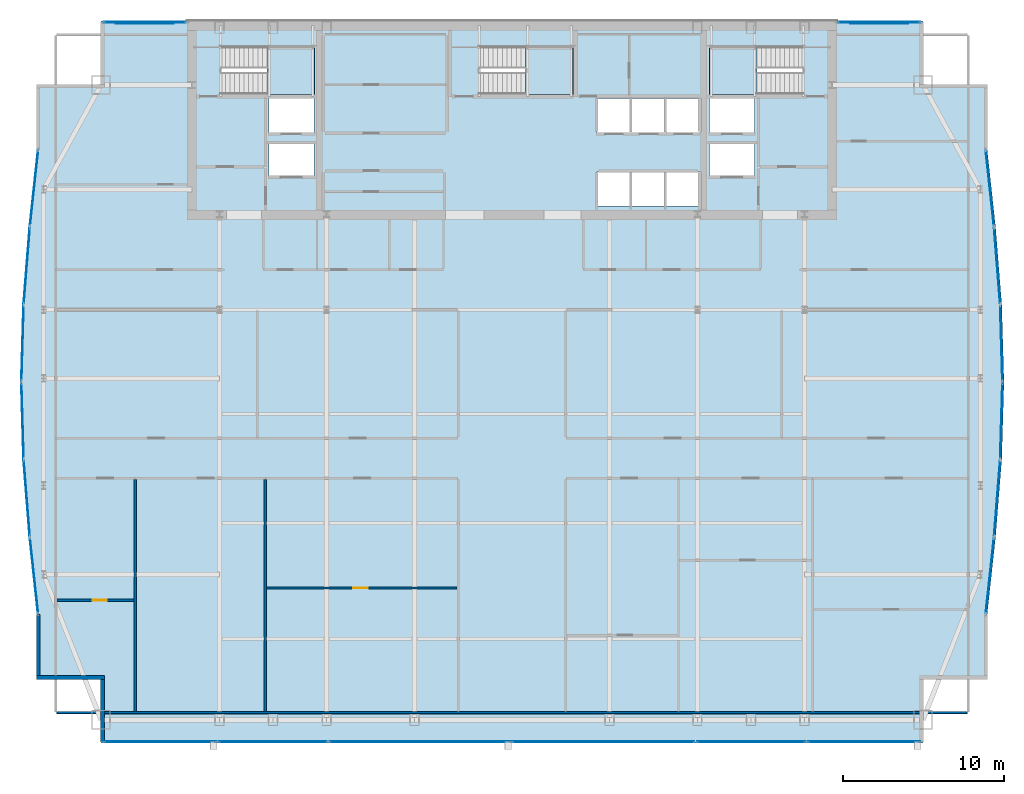
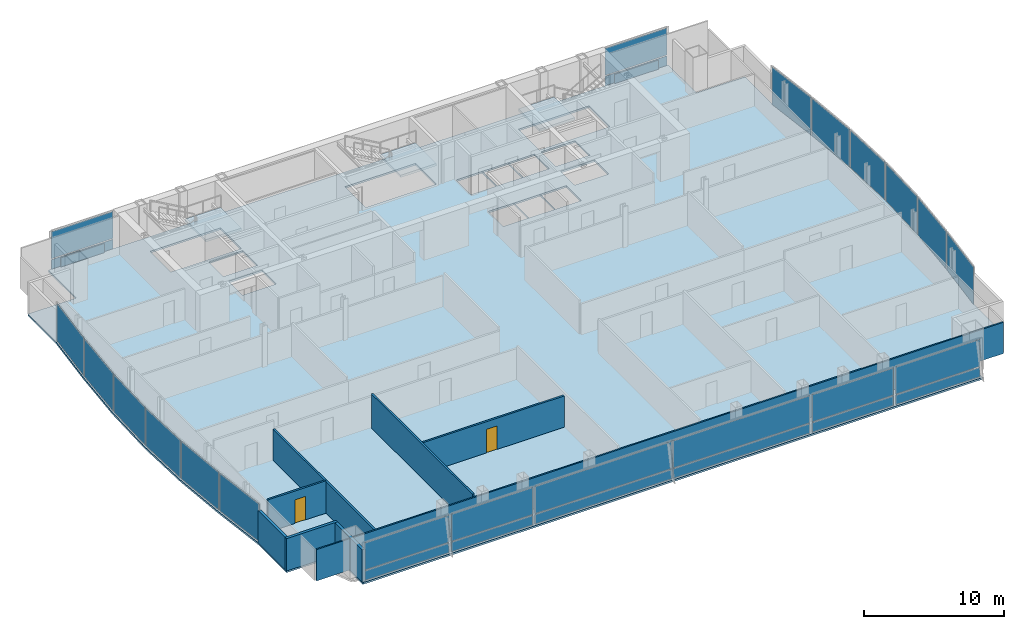
# One storey, part 26 of 32: 30 plates, 8 walls, 4 slabs, 2 doors, 2 openings, 22 elements without a shape of their own.
"""IFC4 building model written with IfcOpenShell, lengths in metres."""

from ifc_helpers import new_model, si_unit, direction, frame, frame_2d, origin, origin_2d, place, context, subcontext, project, spatial, polyline, rectangle, outline, extrude, material, layer, layer_set, type_object, element, fill, aggregate, save


model = new_model("IFC4")

# Units and contexts
model_context = context("Model", 3, precision=1e-05, world=origin(), true_north=direction((0.0, 1.0)))
body_context = subcontext(model_context, "Body", "Model", "MODEL_VIEW")
ifc_project = project(units=[si_unit("LENGTHUNIT", "METRE"), si_unit("AREAUNIT", "SQUARE_METRE"), si_unit("VOLUMEUNIT", "CUBIC_METRE"), si_unit("PLANEANGLEUNIT", "RADIAN"), si_unit("MASSUNIT", "GRAM", prefix="KILO")], contexts=[model_context])

# Site, building, storey
site_placement = place(None, origin())
site = spatial("IfcSite", under=ifc_project, at=site_placement, CompositionType="ELEMENT")
building_placement = place(site_placement, origin())
building = spatial("IfcBuilding", under=site, at=building_placement, Name="Khoronbel Lancet Exchange", CompositionType="ELEMENT")
storey_placement = place(building_placement, frame((0.0, 0.0, 192.199951171875)))
storey = spatial("IfcBuildingStorey", under=building, at=storey_placement, Name="L48", CompositionType="ELEMENT", Elevation=192.199951171875)

# Curtain wall, plate
ifc_material_1 = material(Name="Low-E Solar Control Insulating Glass", Category="glass")
curtain_wall_type_1 = type_object("IfcCurtainWallType", Name="CW-4", PredefinedType="NOTDEFINED", material=ifc_material_1)
curtain_wall_1_placement = place(storey_placement, origin())
curtain_wall_1 = element("IfcCurtainWall", 1, at=curtain_wall_1_placement, inside=storey, type_object=curtain_wall_type_1, Name="Unitised curtain wall CW-L48-E05", PredefinedType="NOTDEFINED")
ifc_material_2 = material(Name="Bronze-Anodised Aluminium 6063-T6", Category="aluminium")
ifc_layer_1 = layer(ifc_material_2, 0.050048828125, Name="Bronze-Anodised Aluminium 6063-T6")
ifc_layer_set_1 = layer_set([ifc_layer_1], Name="Bronze-Anodised Aluminium 6063-T6")
plate_type_1 = type_object("IfcPlateType", Name="PLT-CSP1", PredefinedType="SHEET", material=ifc_layer_set_1)
plate_1_placement = place(storey_placement, frame((6.22265625, 23.95654296875, 0.0849609375), z_axis=(0.0, 0.0, 1.0), x_axis=(-0.079254661653, 0.996854401909, 0.0)))
plate_1 = element("IfcPlate", 2, at=plate_1_placement, type_object=plate_type_1, Name="CW4 panel 1.1", PredefinedType="CURTAIN_PANEL", context=body_context, shape_type="SweptSolid", body=[
    extrude(rectangle(XDim=4.695068359375, YDim=0.0380859375, at=origin_2d()), origin(), (0.0, 0.0, 1.0), 3.27001953125),
])
aggregate(curtain_wall_1, [plate_1])

curtain_wall_2_placement = place(storey_placement, origin())
curtain_wall_2 = element("IfcCurtainWall", 3, at=curtain_wall_2_placement, inside=storey, type_object=curtain_wall_type_1, Name="Unitised curtain wall CW-L48-E06", PredefinedType="NOTDEFINED")
plate_2_placement = place(storey_placement, frame((5.960205078125, 28.785888671875, 0.0849609375), z_axis=(0.0, 0.0, 1.0), x_axis=(-0.029107039142, 0.999576300376, 0.0)))
plate_2 = element("IfcPlate", 4, at=plate_2_placement, type_object=plate_type_1, Name="CW4 panel 1.1", PredefinedType="CURTAIN_PANEL", context=body_context, shape_type="SweptSolid", body=[
    extrude(rectangle(XDim=4.680419921875, YDim=0.0380859375, at=origin_2d()), origin(), (0.0, 0.0, 1.0), 3.27001953125),
])
aggregate(curtain_wall_2, [plate_2])

curtain_wall_3_placement = place(storey_placement, origin())
curtain_wall_3 = element("IfcCurtainWall", 5, at=curtain_wall_3_placement, inside=storey, type_object=curtain_wall_type_1, Name="Unitised curtain wall CW-L48-E07", PredefinedType="NOTDEFINED")
plate_3_placement = place(storey_placement, frame((5.960205078125, 33.6142578125, 0.0849609375), z_axis=(0.0, 0.0, 1.0), x_axis=(0.029107039142, 0.999576300376, 0.0)))
plate_3 = element("IfcPlate", 6, at=plate_3_placement, type_object=plate_type_1, Name="CW4 panel 1.1", PredefinedType="CURTAIN_PANEL", context=body_context, shape_type="SweptSolid", body=[
    extrude(rectangle(XDim=4.680419921875, YDim=0.0380859375, at=origin_2d()), origin(), (0.0, 0.0, 1.0), 3.27001953125),
])
aggregate(curtain_wall_3, [plate_3])

curtain_wall_4_placement = place(storey_placement, origin())
curtain_wall_4 = element("IfcCurtainWall", 7, at=curtain_wall_4_placement, inside=storey, type_object=curtain_wall_type_1, Name="Unitised curtain wall CW-L48-E08", PredefinedType="NOTDEFINED")
plate_4_placement = place(storey_placement, frame((6.22265625, 38.443359375, 0.0849609375), z_axis=(0.0, 0.0, 1.0), x_axis=(0.079254661653, 0.996854401909, 0.0)))
plate_4 = element("IfcPlate", 8, at=plate_4_placement, type_object=plate_type_1, Name="CW4 panel 1.1", PredefinedType="CURTAIN_PANEL", context=body_context, shape_type="SweptSolid", body=[
    extrude(rectangle(XDim=4.695068359375, YDim=0.0380859375, at=origin_2d()), origin(), (0.0, 0.0, 1.0), 3.27001953125),
])
aggregate(curtain_wall_4, [plate_4])

curtain_wall_type_2 = type_object("IfcCurtainWallType", Name="CW-3", PredefinedType="NOTDEFINED", material=ifc_material_1)
curtain_wall_5_placement = place(storey_placement, origin())
curtain_wall_5 = element("IfcCurtainWall", 9, at=curtain_wall_5_placement, inside=storey, type_object=curtain_wall_type_2, Name="Unitised curtain wall CW-L48-NWFLK", PredefinedType="NOTDEFINED")
plate_5_placement = place(storey_placement, frame((13.580078125, 53.550048828125, 0.0498046875), z_axis=(0.0, 0.0, 1.0), x_axis=(-1.0, 0.0, 0.0)))
plate_5 = element("IfcPlate", 10, at=plate_5_placement, type_object=plate_type_1, Name="Insulated bronze spandrel cassette CW-L48-NWFLK", PredefinedType="SHEET", context=body_context, shape_type="SweptSolid", body=[
    extrude(rectangle(XDim=3.60009765625, YDim=0.050048828125, at=origin_2d()), origin(), (0.0, 0.0, 1.0), 0.800048828125),
])

curtain_wall_6_placement = place(storey_placement, origin())
curtain_wall_6 = element("IfcCurtainWall", 11, at=curtain_wall_6_placement, inside=storey, type_object=curtain_wall_type_2, Name="Unitised curtain wall CW-L48-NEFLK", PredefinedType="NOTDEFINED")
plate_6_placement = place(storey_placement, frame((59.320068359375, 53.550048828125, 0.0498046875), z_axis=(0.0, 0.0, 1.0), x_axis=(-1.0, 0.0, 0.0)))
plate_6 = element("IfcPlate", 12, at=plate_6_placement, type_object=plate_type_1, Name="Insulated bronze spandrel cassette CW-L48-NEFLK", PredefinedType="SHEET", context=body_context, shape_type="SweptSolid", body=[
    extrude(rectangle(XDim=3.60009765625, YDim=0.050048828125, at=origin_2d()), origin(), (0.0, 0.0, 1.0), 0.800048828125),
])

curtain_wall_7_placement = place(storey_placement, origin())
curtain_wall_7 = element("IfcCurtainWall", 13, at=curtain_wall_7_placement, inside=storey, type_object=curtain_wall_type_1, Name="Unitised curtain wall CW-L48-E18", PredefinedType="NOTDEFINED")
plate_7_placement = place(storey_placement, frame((66.677490234375, 38.443359375, 0.0849609375), z_axis=(0.0, 0.0, 1.0), x_axis=(0.079254661653, -0.996854401909, 0.0)))
plate_7 = element("IfcPlate", 14, at=plate_7_placement, type_object=plate_type_1, Name="CW4 panel 1.1", PredefinedType="CURTAIN_PANEL", context=body_context, shape_type="SweptSolid", body=[
    extrude(rectangle(XDim=4.695068359375, YDim=0.0380859375, at=origin_2d()), origin(), (0.0, 0.0, 1.0), 3.27001953125),
])
aggregate(curtain_wall_7, [plate_7])

curtain_wall_8_placement = place(storey_placement, origin())
curtain_wall_8 = element("IfcCurtainWall", 15, at=curtain_wall_8_placement, inside=storey, type_object=curtain_wall_type_1, Name="Unitised curtain wall CW-L48-E19", PredefinedType="NOTDEFINED")
plate_8_placement = place(storey_placement, frame((66.939697265625, 33.6142578125, 0.0849609375), z_axis=(0.0, 0.0, 1.0), x_axis=(0.029107039142, -0.999576300376, 0.0)))
plate_8 = element("IfcPlate", 16, at=plate_8_placement, type_object=plate_type_1, Name="CW4 panel 1.1", PredefinedType="CURTAIN_PANEL", context=body_context, shape_type="SweptSolid", body=[
    extrude(rectangle(XDim=4.680419921875, YDim=0.0380859375, at=origin_2d()), origin(), (0.0, 0.0, 1.0), 3.27001953125),
])
aggregate(curtain_wall_8, [plate_8])

curtain_wall_9_placement = place(storey_placement, origin())
curtain_wall_9 = element("IfcCurtainWall", 17, at=curtain_wall_9_placement, inside=storey, type_object=curtain_wall_type_1, Name="Unitised curtain wall CW-L48-E20", PredefinedType="NOTDEFINED")
plate_9_placement = place(storey_placement, frame((66.939697265625, 28.785888671875, 0.0849609375), z_axis=(0.0, 0.0, 1.0), x_axis=(-0.029107039142, -0.999576300376, 0.0)))
plate_9 = element("IfcPlate", 18, at=plate_9_placement, type_object=plate_type_1, Name="CW4 panel 1.1", PredefinedType="CURTAIN_PANEL", context=body_context, shape_type="SweptSolid", body=[
    extrude(rectangle(XDim=4.680419921875, YDim=0.0380859375, at=origin_2d()), origin(), (0.0, 0.0, 1.0), 3.27001953125),
])
aggregate(curtain_wall_9, [plate_9])

curtain_wall_10_placement = place(storey_placement, origin())
curtain_wall_10 = element("IfcCurtainWall", 19, at=curtain_wall_10_placement, inside=storey, type_object=curtain_wall_type_1, Name="Unitised curtain wall CW-L48-E21", PredefinedType="NOTDEFINED")
plate_10_placement = place(storey_placement, frame((66.677490234375, 23.95654296875, 0.0849609375), z_axis=(0.0, 0.0, 1.0), x_axis=(-0.079254661653, -0.996854401909, 0.0)))
plate_10 = element("IfcPlate", 20, at=plate_10_placement, type_object=plate_type_1, Name="CW4 panel 1.1", PredefinedType="CURTAIN_PANEL", context=body_context, shape_type="SweptSolid", body=[
    extrude(rectangle(XDim=4.695068359375, YDim=0.0380859375, at=origin_2d()), origin(), (0.0, 0.0, 1.0), 3.27001953125),
])
aggregate(curtain_wall_10, [plate_10])

# Curtain wall, plates
curtain_wall_11_placement = place(storey_placement, origin())
curtain_wall_11 = element("IfcCurtainWall", 21, at=curtain_wall_11_placement, inside=storey, type_object=curtain_wall_type_2, Name="Unitised curtain wall CW-L48-SWB", PredefinedType="NOTDEFINED")
plate_11_placement = place(storey_placement, frame((21.550048828125, 8.7900390625, 0.0849609375), z_axis=(0.0, 0.0, 1.0), x_axis=(1.0, 0.0, 0.0)))
plate_11 = element("IfcPlate", 22, at=plate_11_placement, type_object=plate_type_1, Name="CW3 panel 1.1", PredefinedType="CURTAIN_PANEL", context=body_context, shape_type="SweptSolid", body=[
    extrude(rectangle(XDim=6.72998046875, YDim=0.0380859375, at=origin_2d()), origin(), (0.0, 0.0, 1.0), 0.822509765625),
])
plate_12_placement = place(storey_placement, frame((21.550048828125, 8.7900390625, 0.99267578125), z_axis=(0.0, 0.0, 1.0), x_axis=(1.0, 0.0, 0.0)))
plate_12 = element("IfcPlate", 23, at=plate_12_placement, type_object=plate_type_1, Name="CW3 panel 1.2", PredefinedType="CURTAIN_PANEL", context=body_context, shape_type="SweptSolid", body=[
    extrude(rectangle(XDim=6.72998046875, YDim=0.0380859375, at=origin_2d()), origin(), (0.0, 0.0, 1.0), 2.362548828125),
])
aggregate(curtain_wall_11, [plate_11, plate_12])

curtain_wall_12_placement = place(storey_placement, origin())
curtain_wall_12 = element("IfcCurtainWall", 24, at=curtain_wall_12_placement, inside=storey, type_object=curtain_wall_type_2, Name="Unitised curtain wall CW-L48-SEB", PredefinedType="NOTDEFINED")
plate_13_placement = place(storey_placement, frame((51.35009765625, 8.7900390625, 0.0849609375), z_axis=(0.0, 0.0, 1.0), x_axis=(1.0, 0.0, 0.0)))
plate_13 = element("IfcPlate", 25, at=plate_13_placement, type_object=plate_type_1, Name="CW3 panel 1.1", PredefinedType="CURTAIN_PANEL", context=body_context, shape_type="SweptSolid", body=[
    extrude(rectangle(XDim=6.72998046875, YDim=0.0380859375, at=origin_2d()), origin(), (0.0, 0.0, 1.0), 0.822509765625),
])
plate_14_placement = place(storey_placement, frame((51.35009765625, 8.7900390625, 0.99267578125), z_axis=(0.0, 0.0, 1.0), x_axis=(1.0, 0.0, 0.0)))
plate_14 = element("IfcPlate", 26, at=plate_14_placement, type_object=plate_type_1, Name="CW3 panel 1.2", PredefinedType="CURTAIN_PANEL", context=body_context, shape_type="SweptSolid", body=[
    extrude(rectangle(XDim=6.72998046875, YDim=0.0380859375, at=origin_2d()), origin(), (0.0, 0.0, 1.0), 2.362548828125),
])
aggregate(curtain_wall_12, [plate_13, plate_14])

# Plate
ifc_layer_2 = layer(ifc_material_1, 0.035888671875, Name="Low-E Solar Control Insulating Glass")
ifc_layer_set_2 = layer_set([ifc_layer_2], Name="Low-E Solar Control Insulating Glass")
plate_type_2 = type_object("IfcPlateType", Name="PLT-CWP1", PredefinedType="CURTAIN_PANEL", material=ifc_layer_set_2)
plate_15_placement = place(storey_placement, frame((13.580078125, 53.610107421875, 0.0849609375), z_axis=(0.0, 0.0, 1.0), x_axis=(-1.0, 0.0, 0.0)))
plate_15 = element("IfcPlate", 27, at=plate_15_placement, type_object=plate_type_2, Name="CW3 panel 1.1", PredefinedType="CURTAIN_PANEL", context=body_context, shape_type="SweptSolid", body=[
    extrude(rectangle(XDim=5.110107421875, YDim=0.0380859375, at=origin_2d()), origin(), (0.0, 0.0, 1.0), 0.822509765625),
])

plate_16_placement = place(storey_placement, frame((13.580078125, 53.610107421875, 0.99267578125), z_axis=(0.0, 0.0, 1.0), x_axis=(-1.0, 0.0, 0.0)))
plate_16 = element("IfcPlate", 28, at=plate_16_placement, type_object=plate_type_2, Name="CW3 panel 1.2", PredefinedType="CURTAIN_PANEL", context=body_context, shape_type="SweptSolid", body=[
    extrude(rectangle(XDim=5.110107421875, YDim=0.0380859375, at=origin_2d()), origin(), (0.0, 0.0, 1.0), 2.362548828125),
])

aggregate(curtain_wall_5, [plate_15, plate_16, plate_5])

plate_17_placement = place(storey_placement, frame((59.320068359375, 53.610107421875, 0.0849609375), z_axis=(0.0, 0.0, 1.0), x_axis=(-1.0, 0.0, 0.0)))
plate_17 = element("IfcPlate", 29, at=plate_17_placement, type_object=plate_type_2, Name="CW3 panel 1.1", PredefinedType="CURTAIN_PANEL", context=body_context, shape_type="SweptSolid", body=[
    extrude(rectangle(XDim=5.110107421875, YDim=0.0380859375, at=origin_2d()), origin(), (0.0, 0.0, 1.0), 0.822509765625),
])

plate_18_placement = place(storey_placement, frame((59.320068359375, 53.610107421875, 0.99267578125), z_axis=(0.0, 0.0, 1.0), x_axis=(-1.0, 0.0, 0.0)))
plate_18 = element("IfcPlate", 30, at=plate_18_placement, type_object=plate_type_2, Name="CW3 panel 1.2", PredefinedType="CURTAIN_PANEL", context=body_context, shape_type="SweptSolid", body=[
    extrude(rectangle(XDim=5.110107421875, YDim=0.0380859375, at=origin_2d()), origin(), (0.0, 0.0, 1.0), 2.362548828125),
])

aggregate(curtain_wall_6, [plate_17, plate_18, plate_6])

# Curtain wall, plates
curtain_wall_13_placement = place(storey_placement, origin())
curtain_wall_13 = element("IfcCurtainWall", 31, at=curtain_wall_13_placement, inside=storey, type_object=curtain_wall_type_2, Name="Unitised curtain wall CW-L48-SWV", PredefinedType="NOTDEFINED")
plate_19_placement = place(storey_placement, frame((14.52001953125, 8.7900390625, 0.0849609375), z_axis=(0.0, 0.0, 1.0), x_axis=(1.0, 0.0, 0.0)))
plate_19 = element("IfcPlate", 32, at=plate_19_placement, type_object=plate_type_2, Name="CW3 panel 1.1", PredefinedType="CURTAIN_PANEL", context=body_context, shape_type="SweptSolid", body=[
    extrude(rectangle(XDim=6.989990234375, YDim=0.0380859375, at=origin_2d()), origin(), (0.0, 0.0, 1.0), 0.822509765625),
])
plate_20_placement = place(storey_placement, frame((14.52001953125, 8.7900390625, 0.99267578125), z_axis=(0.0, 0.0, 1.0), x_axis=(1.0, 0.0, 0.0)))
plate_20 = element("IfcPlate", 33, at=plate_20_placement, type_object=plate_type_2, Name="CW3 panel 1.2", PredefinedType="CURTAIN_PANEL", context=body_context, shape_type="SweptSolid", body=[
    extrude(rectangle(XDim=6.989990234375, YDim=0.0380859375, at=origin_2d()), origin(), (0.0, 0.0, 1.0), 2.362548828125),
])
aggregate(curtain_wall_13, [plate_19, plate_20])

curtain_wall_14_placement = place(storey_placement, origin())
curtain_wall_14 = element("IfcCurtainWall", 34, at=curtain_wall_14_placement, inside=storey, type_object=curtain_wall_type_2, Name="Unitised curtain wall CW-L48-SCV", PredefinedType="NOTDEFINED")
plate_21_placement = place(storey_placement, frame((30.746337890625, 8.7900390625, 0.0849609375), z_axis=(0.0, 0.0, 1.0), x_axis=(1.0, 0.0, 0.0)))
plate_21 = element("IfcPlate", 35, at=plate_21_placement, type_object=plate_type_2, Name="CW3 panel 1.1", PredefinedType="CURTAIN_PANEL", context=body_context, shape_type="SweptSolid", body=[
    extrude(rectangle(XDim=11.322509765625, YDim=0.0380859375, at=origin_2d()), origin(), (0.0, 0.0, 1.0), 0.822509765625),
])
plate_22_placement = place(storey_placement, frame((30.746337890625, 8.7900390625, 0.99267578125), z_axis=(0.0, 0.0, 1.0), x_axis=(1.0, 0.0, 0.0)))
plate_22 = element("IfcPlate", 36, at=plate_22_placement, type_object=plate_type_2, Name="CW3 panel 1.2", PredefinedType="CURTAIN_PANEL", context=body_context, shape_type="SweptSolid", body=[
    extrude(rectangle(XDim=11.322509765625, YDim=0.0380859375, at=origin_2d()), origin(), (0.0, 0.0, 1.0), 2.362548828125),
])
plate_23_placement = place(storey_placement, frame((42.15380859375, 8.7900390625, 0.0849609375), z_axis=(0.0, 0.0, 1.0), x_axis=(1.0, 0.0, 0.0)))
plate_23 = element("IfcPlate", 37, at=plate_23_placement, type_object=plate_type_2, Name="CW3 panel 2.1", PredefinedType="CURTAIN_PANEL", context=body_context, shape_type="SweptSolid", body=[
    extrude(rectangle(XDim=11.322509765625, YDim=0.0380859375, at=origin_2d()), origin(), (0.0, 0.0, 1.0), 0.822509765625),
])
plate_24_placement = place(storey_placement, frame((42.15380859375, 8.7900390625, 0.99267578125), z_axis=(0.0, 0.0, 1.0), x_axis=(1.0, 0.0, 0.0)))
plate_24 = element("IfcPlate", 38, at=plate_24_placement, type_object=plate_type_2, Name="CW3 panel 2.2", PredefinedType="CURTAIN_PANEL", context=body_context, shape_type="SweptSolid", body=[
    extrude(rectangle(XDim=11.322509765625, YDim=0.0380859375, at=origin_2d()), origin(), (0.0, 0.0, 1.0), 2.362548828125),
])
aggregate(curtain_wall_14, [plate_21, plate_22, plate_23, plate_24])

curtain_wall_15_placement = place(storey_placement, origin())
curtain_wall_15 = element("IfcCurtainWall", 39, at=curtain_wall_15_placement, inside=storey, type_object=curtain_wall_type_2, Name="Unitised curtain wall CW-L48-SEV", PredefinedType="NOTDEFINED")
plate_25_placement = place(storey_placement, frame((58.3798828125, 8.7900390625, 0.0849609375), z_axis=(0.0, 0.0, 1.0), x_axis=(1.0, 0.0, 0.0)))
plate_25 = element("IfcPlate", 40, at=plate_25_placement, type_object=plate_type_2, Name="CW3 panel 1.1", PredefinedType="CURTAIN_PANEL", context=body_context, shape_type="SweptSolid", body=[
    extrude(rectangle(XDim=6.989990234375, YDim=0.0380859375, at=origin_2d()), origin(), (0.0, 0.0, 1.0), 0.822509765625),
])
plate_26_placement = place(storey_placement, frame((58.3798828125, 8.7900390625, 0.99267578125), z_axis=(0.0, 0.0, 1.0), x_axis=(1.0, 0.0, 0.0)))
plate_26 = element("IfcPlate", 41, at=plate_26_placement, type_object=plate_type_2, Name="CW3 panel 1.2", PredefinedType="CURTAIN_PANEL", context=body_context, shape_type="SweptSolid", body=[
    extrude(rectangle(XDim=6.989990234375, YDim=0.0380859375, at=origin_2d()), origin(), (0.0, 0.0, 1.0), 2.362548828125),
])
aggregate(curtain_wall_15, [plate_25, plate_26])

# Curtain wall, plate
curtain_wall_16_placement = place(storey_placement, origin())
curtain_wall_16 = element("IfcCurtainWall", 42, at=curtain_wall_16_placement, inside=storey, type_object=curtain_wall_type_1, Name="Unitised curtain wall CW-L48-E04", PredefinedType="NOTDEFINED")
ifc_material_3 = material(Name="Ceramic-Fritted Laminated Insulating Glass", Category="glass")
ifc_layer_3 = layer(ifc_material_3, 0.0419921875, Name="Ceramic-Fritted Laminated Insulating Glass")
ifc_layer_set_3 = layer_set([ifc_layer_3], Name="Ceramic-Fritted Laminated Insulating Glass")
plate_type_3 = type_object("IfcPlateType", Name="PLT-CWP2", PredefinedType="CURTAIN_PANEL", material=ifc_layer_set_3)
plate_27_placement = place(storey_placement, frame((6.67724609375, 19.123291015625, 0.0849609375), z_axis=(0.0, 0.0, 1.0), x_axis=(-0.107990289834, 0.994151948799, 0.0)))
plate_27 = element("IfcPlate", 43, at=plate_27_placement, type_object=plate_type_3, Name="CW4 panel 1.1", PredefinedType="CURTAIN_PANEL", context=body_context, shape_type="SweptSolid", body=[
    extrude(rectangle(XDim=4.71533203125, YDim=0.0380859375, at=origin_2d()), origin(), (0.0, 0.0, 1.0), 3.27001953125),
])
aggregate(curtain_wall_16, [plate_27])

curtain_wall_17_placement = place(storey_placement, origin())
curtain_wall_17 = element("IfcCurtainWall", 44, at=curtain_wall_17_placement, inside=storey, type_object=curtain_wall_type_1, Name="Unitised curtain wall CW-L48-E09", PredefinedType="NOTDEFINED")
plate_28_placement = place(storey_placement, frame((6.67724609375, 43.276611328125, 0.0849609375), z_axis=(0.0, 0.0, 1.0), x_axis=(0.107990289834, 0.994151948799, 0.0)))
plate_28 = element("IfcPlate", 45, at=plate_28_placement, type_object=plate_type_3, Name="CW4 panel 1.1", PredefinedType="CURTAIN_PANEL", context=body_context, shape_type="SweptSolid", body=[
    extrude(rectangle(XDim=4.71533203125, YDim=0.0380859375, at=origin_2d()), origin(), (0.0, 0.0, 1.0), 3.27001953125),
])
aggregate(curtain_wall_17, [plate_28])

curtain_wall_18_placement = place(storey_placement, origin())
curtain_wall_18 = element("IfcCurtainWall", 46, at=curtain_wall_18_placement, inside=storey, type_object=curtain_wall_type_1, Name="Unitised curtain wall CW-L48-E17", PredefinedType="NOTDEFINED")
plate_29_placement = place(storey_placement, frame((66.22265625, 43.276611328125, 0.0849609375), z_axis=(0.0, 0.0, 1.0), x_axis=(0.107990289834, -0.994151948799, 0.0)))
plate_29 = element("IfcPlate", 47, at=plate_29_placement, type_object=plate_type_3, Name="CW4 panel 1.1", PredefinedType="CURTAIN_PANEL", context=body_context, shape_type="SweptSolid", body=[
    extrude(rectangle(XDim=4.71533203125, YDim=0.0380859375, at=origin_2d()), origin(), (0.0, 0.0, 1.0), 3.27001953125),
])
aggregate(curtain_wall_18, [plate_29])

curtain_wall_19_placement = place(storey_placement, origin())
curtain_wall_19 = element("IfcCurtainWall", 48, at=curtain_wall_19_placement, inside=storey, type_object=curtain_wall_type_1, Name="Unitised curtain wall CW-L48-E22", PredefinedType="NOTDEFINED")
plate_30_placement = place(storey_placement, frame((66.22265625, 19.123291015625, 0.0849609375), z_axis=(0.0, 0.0, 1.0), x_axis=(-0.107990289834, -0.994151948799, 0.0)))
plate_30 = element("IfcPlate", 49, at=plate_30_placement, type_object=plate_type_3, Name="CW4 panel 1.1", PredefinedType="CURTAIN_PANEL", context=body_context, shape_type="SweptSolid", body=[
    extrude(rectangle(XDim=4.71533203125, YDim=0.0380859375, at=origin_2d()), origin(), (0.0, 0.0, 1.0), 3.27001953125),
])
aggregate(curtain_wall_19, [plate_30])

# Slab
ifc_material_4 = material(Name="Concrete C40/50", Category="concrete")
ifc_layer_4 = layer(ifc_material_4, 0.159912109375, Name="Concrete C40/50")
ifc_layer_set_4 = layer_set([ifc_layer_4], Name="Concrete C40/50")
slab_type_1 = type_object("IfcSlabType", Name="SL-FL160", PredefinedType="FLOOR", material=ifc_layer_set_4)
slab_1_placement = place(storey_placement, frame((0.0, 0.0, -0.159912109375)))
element("IfcSlab", 50, at=slab_1_placement, inside=storey, type_object=slab_type_1, Name="Level L48 composite structural floor slab", PredefinedType="FLOOR", context=body_context, shape_type="SweptSolid", body=[
    extrude(outline(polyline([(10.85009765625, 8.699951171875), (62.050048828125, 8.699951171875), (62.050048828125, 12.699951171875), (66.050048828125, 12.699951171875), (66.050048828125, 16.699951171875), (66.574951171875, 21.533203125), (66.959228515625, 26.36669921875), (67.10009765625, 31.199951171875), (66.959228515625, 36.033203125), (66.574951171875, 40.86669921875), (66.050048828125, 45.699951171875), (66.050048828125, 49.699951171875), (62.050048828125, 49.699951171875), (62.050048828125, 53.699951171875), (10.85009765625, 53.699951171875), (10.85009765625, 49.699951171875), (6.85009765625, 49.699951171875), (6.85009765625, 45.699951171875), (6.324951171875, 40.86669921875), (5.940673828125, 36.033203125), (5.800048828125, 31.199951171875), (5.940673828125, 26.36669921875), (6.324951171875, 21.533203125), (6.85009765625, 16.699951171875), (6.85009765625, 12.699951171875), (10.85009765625, 12.699951171875), (10.85009765625, 8.699951171875)]), holes=[polyline([(18.324951171875, 49.1201171875), (24.14990234375, 49.1201171875), (24.14990234375, 52.10009765625), (18.324951171875, 52.10009765625), (18.324951171875, 49.1201171875)]), polyline([(48.75, 49.1201171875), (54.574951171875, 49.1201171875), (54.574951171875, 52.10009765625), (48.75, 52.10009765625), (48.75, 49.1201171875)]), polyline([(34.425048828125, 49.1201171875), (40.25, 49.1201171875), (40.25, 52.10009765625), (34.425048828125, 52.10009765625), (34.425048828125, 49.1201171875)]), polyline([(41.739990234375, 46.75), (43.8798828125, 46.75), (43.8798828125, 48.85009765625), (41.739990234375, 48.85009765625), (41.739990234375, 46.75)]), polyline([(43.89990234375, 46.75), (46.0400390625, 46.75), (46.0400390625, 48.85009765625), (43.89990234375, 48.85009765625), (43.89990234375, 46.75)]), polyline([(46.06005859375, 46.75), (48.199951171875, 46.75), (48.199951171875, 48.85009765625), (46.06005859375, 48.85009765625), (46.06005859375, 46.75)]), polyline([(41.739990234375, 42.14990234375), (43.8798828125, 42.14990234375), (43.8798828125, 44.300048828125), (41.739990234375, 44.300048828125), (41.739990234375, 42.14990234375)]), polyline([(43.89990234375, 42.14990234375), (46.0400390625, 42.14990234375), (46.0400390625, 44.300048828125), (43.89990234375, 44.300048828125), (43.89990234375, 42.14990234375)]), polyline([(46.06005859375, 42.14990234375), (48.199951171875, 42.14990234375), (48.199951171875, 44.300048828125), (46.06005859375, 44.300048828125), (46.06005859375, 42.14990234375)]), polyline([(21.300048828125, 46.75), (24.10009765625, 46.75), (24.10009765625, 48.85009765625), (21.300048828125, 48.85009765625), (21.300048828125, 46.75)]), polyline([(48.75, 46.75), (51.550048828125, 46.75), (51.550048828125, 48.85009765625), (48.75, 48.85009765625), (48.75, 46.75)]), polyline([(21.300048828125, 44.050048828125), (24.10009765625, 44.050048828125), (24.10009765625, 46.050048828125), (21.300048828125, 46.050048828125), (21.300048828125, 44.050048828125)]), polyline([(48.75, 44.050048828125), (51.550048828125, 44.050048828125), (51.550048828125, 46.050048828125), (48.75, 46.050048828125), (48.75, 44.050048828125)])]), origin(), (0.0, 0.0, 1.0), 0.159912109375),
])

# Stair, slab
stair_type = type_object("IfcStairType", Name="STR-CORE150", PredefinedType="HALF_TURN_STAIR", material=ifc_material_4)
stair_1_placement = place(storey_placement, origin())
stair_1 = element("IfcStair", 51, at=stair_1_placement, inside=storey, type_object=stair_type, Name="L48 Protected Exit Stair ST1", PredefinedType="HALF_TURN_STAIR")
ifc_layer_5 = layer(ifc_material_4, 0.199951171875, Name="Concrete C40/50")
ifc_layer_set_5 = layer_set([ifc_layer_5], Name="Concrete C40/50")
slab_type_2 = type_object("IfcSlabType", Name="SL-LND180", PredefinedType="LANDING", material=ifc_layer_set_5)
slab_2_placement = place(storey_placement, frame((0.0, 0.0, 1.60009765625)))
slab_2 = element("IfcSlab", 52, at=slab_2_placement, type_object=slab_type_2, Name="ST1 landing 1", PredefinedType="LANDING", context=body_context, shape_type="SweptSolid", body=[
    extrude(outline(polyline([(21.199951171875, 49.1201171875), (24.14990234375, 49.1201171875), (24.14990234375, 52.10009765625), (21.199951171875, 52.10009765625), (21.199951171875, 49.1201171875)])), origin(), (0.0, 0.0, 1.0), 0.199951171875),
])
aggregate(stair_1, [slab_2])

stair_2_placement = place(storey_placement, origin())
stair_2 = element("IfcStair", 53, at=stair_2_placement, inside=storey, type_object=stair_type, Name="L48 Protected Exit Stair ST2", PredefinedType="HALF_TURN_STAIR")
slab_3_placement = place(storey_placement, frame((0.0, 0.0, 1.60009765625)))
slab_3 = element("IfcSlab", 54, at=slab_3_placement, type_object=slab_type_2, Name="ST2 landing 1", PredefinedType="LANDING", context=body_context, shape_type="SweptSolid", body=[
    extrude(outline(polyline([(51.699951171875, 52.10009765625), (48.75, 52.10009765625), (48.75, 49.1201171875), (51.699951171875, 49.1201171875), (51.699951171875, 52.10009765625)])), origin(), (0.0, 0.0, 1.0), 0.199951171875),
])
aggregate(stair_2, [slab_3])

stair_3_placement = place(storey_placement, origin())
stair_3 = element("IfcStair", 55, at=stair_3_placement, inside=storey, type_object=stair_type, Name="L48 Protected Exit Stair ST3", PredefinedType="HALF_TURN_STAIR")
slab_4_placement = place(storey_placement, frame((0.0, 0.0, 1.60009765625)))
slab_4 = element("IfcSlab", 56, at=slab_4_placement, type_object=slab_type_2, Name="ST3 landing 1", PredefinedType="LANDING", context=body_context, shape_type="SweptSolid", body=[
    extrude(outline(polyline([(37.300048828125, 49.1201171875), (40.25, 49.1201171875), (40.25, 52.10009765625), (37.300048828125, 52.10009765625), (37.300048828125, 49.1201171875)])), origin(), (0.0, 0.0, 1.0), 0.199951171875),
])
aggregate(stair_3, [slab_4])

# Walls
ifc_material_5 = material(Name="Precast concrete C40/50", Category="concrete")
ifc_layer_6 = layer(ifc_material_5, 0.25, Name="Precast concrete C40/50")
ifc_layer_set_6 = layer_set([ifc_layer_6], Name="Precast concrete C40/50")
wall_type_1 = type_object("IfcWallType", Name="WL-EXT250", PredefinedType="SOLIDWALL", material=ifc_layer_set_6)
wall_1_placement = place(storey_placement, frame((10.93994140625, 8.77001953125, 0.0), z_axis=(0.0, 0.0, 1.0), x_axis=(0.0, 1.0, 0.0)))
element("IfcWall", 57, at=wall_1_placement, inside=storey, type_object=wall_type_1, Name="Level L48 notched-corner limestone pier 01", PredefinedType="SOLIDWALL", context=body_context, shape_type="SweptSolid", body=[
    extrude(rectangle(XDim=3.909912109375, YDim=0.219970703125, at=frame_2d((1.955078125, 0.0))), origin(), (0.0, 0.0, 1.0), 2.830078125),
])
wall_2_placement = place(storey_placement, frame((11.050048828125, 12.7900390625, 0.0), z_axis=(0.0, 0.0, 1.0), x_axis=(-1.0, 0.0, 0.0)))
element("IfcWall", 58, at=wall_2_placement, inside=storey, type_object=wall_type_1, Name="Level L48 notched-corner limestone pier 02", PredefinedType="SOLIDWALL", context=body_context, shape_type="SweptSolid", body=[
    extrude(rectangle(XDim=4.219970703125, YDim=0.219970703125, at=frame_2d((2.10986328125, 0.0))), origin(), (0.0, 0.0, 1.0), 2.830078125),
])
wall_3_placement = place(storey_placement, frame((6.93994140625, 12.89990234375, 0.0), z_axis=(0.0, 0.0, 1.0), x_axis=(0.0, 1.0, 0.0)))
element("IfcWall", 59, at=wall_3_placement, inside=storey, type_object=wall_type_1, Name="Level L48 notched-corner limestone pier 03", PredefinedType="SOLIDWALL", context=body_context, shape_type="SweptSolid", body=[
    extrude(rectangle(XDim=3.824951171875, YDim=0.219970703125, at=frame_2d((1.91259765625, 0.0))), origin(), (0.0, 0.0, 1.0), 2.830078125),
])

# Wall, opening, door
ifc_material_6 = material(Name="Acoustic Metal-Stud & Mineral-Wool Gypsum Partition 120 mm", Category="gypsum")
ifc_layer_7 = layer(ifc_material_6, 0.1201171875, Name="Acoustic Metal-Stud & Mineral-Wool Gypsum Partition 120 mm")
ifc_layer_set_7 = layer_set([ifc_layer_7], Name="Acoustic Metal-Stud & Mineral-Wool Gypsum Partition 120 mm")
wall_type_2 = type_object("IfcWallType", Name="WL-PRT120", PredefinedType="PARTITIONING", material=ifc_layer_set_7)
wall_4_placement = place(storey_placement, frame((8.094970703125, 17.602294921875, 0.0), z_axis=(0.0, 0.0, 1.0), x_axis=(1.0, 0.0, 0.0)))
wall_4 = element("IfcWall", 60, at=wall_4_placement, inside=storey, type_object=wall_type_2, Name="Level L48 interior partition PW-Z3SW-H1", PredefinedType="PARTITIONING", context=body_context, shape_type="SweptSolid", body=[
    extrude(rectangle(XDim=4.796875, YDim=0.14990234375, at=frame_2d((2.3984375, 0.0))), origin(), (0.0, 0.0, 1.0), 2.830078125),
])
opening_1_placement = place(wall_4_placement, frame((2.223876953125, 0.0, 0.0)))
opening_1 = element("IfcOpeningElement", 61, at=opening_1_placement, cuts=wall_4, Name="Opening D5", PredefinedType="OPENING", context=body_context, shape_type="SweptSolid", body=[
    extrude(rectangle(XDim=0.89990234375, YDim=2.050048828125, at=frame_2d((0.449951171875, 1.02490234375))), frame((0.0, 0.0849609375, 0.0), z_axis=(0.0, -1.0, 0.0), x_axis=(1.0, 0.0, 0.0)), (0.0, 0.0, 1.0), 0.169921875),
])
ifc_material_7 = material(Name="Acoustic Timber Pantry & Support Door", Category="wood")
door_type = type_object("IfcDoorType", Name="DR-D5", OperationType="NOTDEFINED", PredefinedType="DOOR", material=ifc_material_7)
door_1_placement = place(opening_1_placement, origin())
door_1 = element("IfcDoor", 62, at=door_1_placement, inside=storey, type_object=door_type, Name="Z3SW inner door 1 L48-1", OperationType="SINGLE_SWING_LEFT", OverallHeight=2.050048828125, OverallWidth=0.89990234375, PredefinedType="DOOR", context=body_context, shape_type="SweptSolid", body=[
    extrude(rectangle(XDim=0.89990234375, YDim=2.050048828125, at=frame_2d((0.449951171875, 1.02490234375))), frame((0.0, 0.02490234375, 0.0), z_axis=(0.0, -1.0, 0.0), x_axis=(1.0, 0.0, 0.0)), (0.0, 0.0, 1.0), 0.050048828125),
])
fill(opening_1, door_1)

wall_5_placement = place(storey_placement, frame((21.16845703125, 18.365966796875, 0.0), z_axis=(0.0, 0.0, 1.0), x_axis=(1.0, 0.0, 0.0)))
wall_5 = element("IfcWall", 63, at=wall_5_placement, inside=storey, type_object=wall_type_2, Name="Level L48 interior partition PW-Z3SW-H3", PredefinedType="PARTITIONING", context=body_context, shape_type="SweptSolid", body=[
    extrude(rectangle(XDim=11.8515625, YDim=0.14990234375, at=frame_2d((5.92578125, 0.0))), origin(), (0.0, 0.0, 1.0), 2.72998046875),
])
opening_2_placement = place(wall_5_placement, frame((5.4052734375, 0.0, 0.0)))
opening_2 = element("IfcOpeningElement", 64, at=opening_2_placement, cuts=wall_5, Name="Opening D5", PredefinedType="OPENING", context=body_context, shape_type="SweptSolid", body=[
    extrude(rectangle(XDim=0.89990234375, YDim=2.050048828125, at=frame_2d((0.449951171875, 1.02490234375))), frame((0.0, 0.0849609375, 0.0), z_axis=(0.0, -1.0, 0.0), x_axis=(1.0, 0.0, 0.0)), (0.0, 0.0, 1.0), 0.169921875),
])
door_2_placement = place(opening_2_placement, origin())
door_2 = element("IfcDoor", 65, at=door_2_placement, inside=storey, type_object=door_type, Name="Z3SW inner door 3 L48-1", OperationType="SINGLE_SWING_RIGHT", OverallHeight=2.050048828125, OverallWidth=0.89990234375, PredefinedType="DOOR", context=body_context, shape_type="SweptSolid", body=[
    extrude(rectangle(XDim=0.89990234375, YDim=2.050048828125, at=frame_2d((0.449951171875, 1.02490234375))), frame((0.0, 0.02490234375, 0.0), z_axis=(0.0, -1.0, 0.0), x_axis=(1.0, 0.0, 0.0)), (0.0, 0.0, 1.0), 0.050048828125),
])
fill(opening_2, door_2)

# Walls
wall_6_placement = place(storey_placement, frame((8.094970703125, 10.60009765625, 0.0), z_axis=(0.0, 0.0, 1.0), x_axis=(1.0, 0.0, 0.0)))
element("IfcWall", 66, at=wall_6_placement, inside=storey, type_object=wall_type_2, Name="Level L48 interior partition PW-LIN-S", PredefinedType="PARTITIONING", context=body_context, shape_type="SweptSolid", body=[
    extrude(rectangle(XDim=56.7099609375, YDim=0.1201171875, at=frame_2d((28.35498046875, 0.0))), origin(), (0.0, 0.0, 1.0), 2.72998046875),
])
ifc_material_8 = material(Name="Fire-Rated Twin-Stud Acoustic Gypsum Partition 150 mm", Category="gypsum")
ifc_layer_8 = layer(ifc_material_8, 0.14990234375, Name="Fire-Rated Twin-Stud Acoustic Gypsum Partition 150 mm")
ifc_layer_set_8 = layer_set([ifc_layer_8], Name="Fire-Rated Twin-Stud Acoustic Gypsum Partition 150 mm")
wall_type_3 = type_object("IfcWallType", Name="WL-PRT150C", PredefinedType="PARTITIONING", material=ifc_layer_set_8)
wall_7_placement = place(storey_placement, frame((12.971923828125, 10.6650390625, 0.0), z_axis=(0.0, 0.0, 1.0), x_axis=(0.0, 1.0, 0.0)))
element("IfcWall", 67, at=wall_7_placement, inside=storey, type_object=wall_type_3, Name="Level L48 interior partition PW-Z3SW-V1", PredefinedType="PARTITIONING", context=body_context, shape_type="SweptSolid", body=[
    extrude(rectangle(XDim=14.449951171875, YDim=0.14990234375, at=frame_2d((7.22509765625, 0.0))), origin(), (0.0, 0.0, 1.0), 2.72998046875),
])
wall_8_placement = place(storey_placement, frame((21.08837890625, 10.6650390625, 0.0), z_axis=(0.0, 0.0, 1.0), x_axis=(0.0, 1.0, 0.0)))
element("IfcWall", 68, at=wall_8_placement, inside=storey, type_object=wall_type_3, Name="Level L48 interior partition PW-Z3SW-V2", PredefinedType="PARTITIONING", context=body_context, shape_type="SweptSolid", body=[
    extrude(rectangle(XDim=14.449951171875, YDim=0.14990234375, at=frame_2d((7.22509765625, 0.0))), origin(), (0.0, 0.0, 1.0), 2.97998046875),
])

save(model, "model.ifc")
